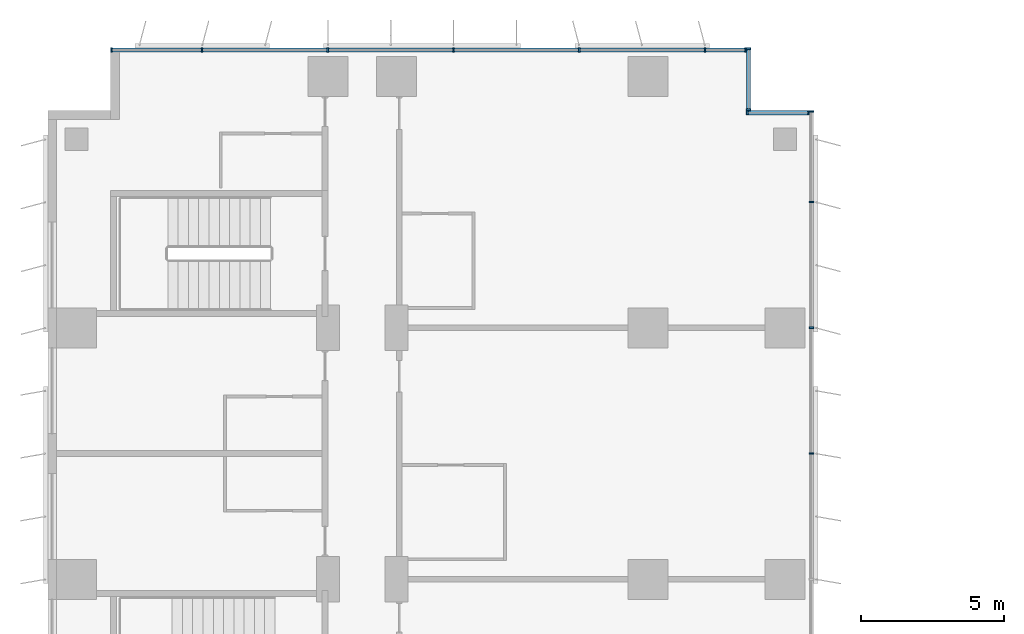
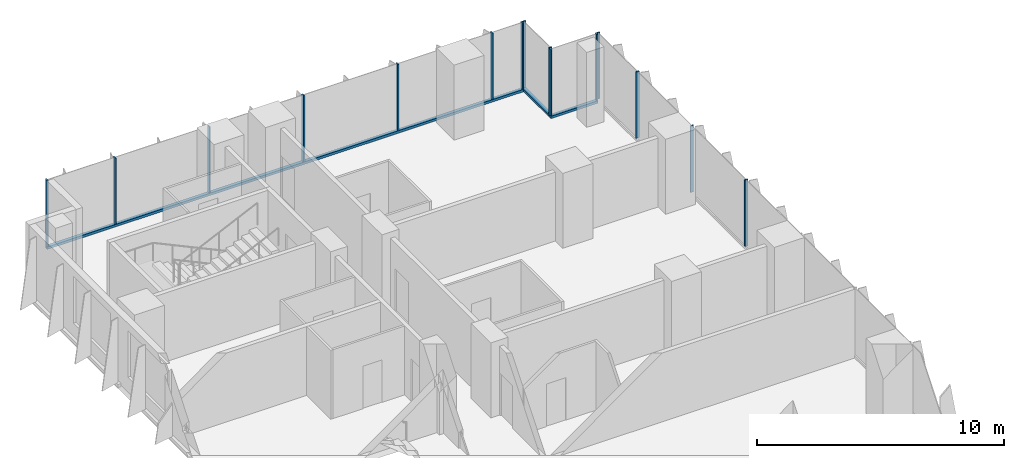
# One storey, part 9 of 24: 18 members, 4 elements without a shape of their own.
"""IFC4 building model written with IfcOpenShell, lengths in metres."""

from ifc_helpers import new_model, si_unit, direction, frame, origin, origin_2d, place, context, subcontext, project, spatial, rectangle, extrude, source, transform, mapped, material, material_profile, profile_set, type_object, element, aggregate, save


model = new_model("IFC4")

# Units and contexts
model_context = context("Model", 3, precision=1e-05, world=origin(), true_north=direction((0.0, 1.0)))
body_context = subcontext(model_context, "Body", "Model", "MODEL_VIEW")
ifc_project = project(units=[si_unit("LENGTHUNIT", "METRE"), si_unit("AREAUNIT", "SQUARE_METRE"), si_unit("VOLUMEUNIT", "CUBIC_METRE"), si_unit("PLANEANGLEUNIT", "RADIAN"), si_unit("MASSUNIT", "GRAM", prefix="KILO")], contexts=[model_context])

# Site, building, storey
site_placement = place(None, origin())
site = spatial("IfcSite", under=ifc_project, at=site_placement, CompositionType="ELEMENT")
building_placement = place(site_placement, origin())
building = spatial("IfcBuilding", under=site, at=building_placement, Name="Kemantara Hotel Tower", CompositionType="ELEMENT")
storey_placement = place(building_placement, frame((0.0, 0.0, 52.5)))
storey = spatial("IfcBuildingStorey", under=building, at=storey_placement, Name="L11", CompositionType="ELEMENT", Elevation=52.5)

# Curtain wall, member
ifc_material_1 = material(Name="Low-E tinted double insulated glass 36 mm", Category="glass")
curtain_wall_type = type_object("IfcCurtainWallType", Name="TOWER CURTAIN WALL, FRONT FACES", PredefinedType="USERDEFINED", material=ifc_material_1)
curtain_wall_1_placement = place(storey_placement, origin())
curtain_wall_1 = element("IfcCurtainWall", 1, at=curtain_wall_1_placement, inside=storey, type_object=curtain_wall_type, Name="CW4 L11 T1-R11-1", ObjectType="TOWER CURTAIN WALL, FRONT FACES", PredefinedType="USERDEFINED")
ifc_material_2 = material(Name="Aluminium 6063-T6 bronze anodised", Category="aluminium")
ifc_material_profile_1 = material_profile(ifc_material_2, rectangle(XDim=0.14990234375, YDim=0.1201171875, at=origin_2d()), Name="TOWER CURTAIN WALL, FRONT FACES TRANSOM")
ifc_profile_set_1 = profile_set([ifc_material_profile_1], Name="Aluminium 6063-T6 bronze anodised")
member_type_1 = type_object("IfcMemberType", Name="TOWER CURTAIN WALL, FRONT FACES TRANSOM", PredefinedType="USERDEFINED", material=ifc_profile_set_1)
member_1_placement = place(storey_placement, frame((24.449951171875, 81.125, 0.06005859375), z_axis=(-1.0, 0.0, 0.0), x_axis=(0.0, -1.0, 0.0)))
member_1 = element("IfcMember", 2, at=member_1_placement, type_object=member_type_1, Name="CW4 sill transom T1-R11-1", ObjectType="TRANSOM", PredefinedType="USERDEFINED", context=body_context, shape_type="SweptSolid", body=[
    extrude(rectangle(XDim=0.14990234375, YDim=0.1201171875, at=origin_2d()), origin(), (0.0, 0.0, 1.0), 22.25),
])

curtain_wall_2_placement = place(storey_placement, origin())
curtain_wall_2 = element("IfcCurtainWall", 3, at=curtain_wall_2_placement, inside=storey, type_object=curtain_wall_type, Name="CW4 L11 T1-R09-1", ObjectType="TOWER CURTAIN WALL, FRONT FACES", PredefinedType="USERDEFINED")
member_2_placement = place(storey_placement, frame((26.64990234375, 78.925048828125, 0.06005859375), z_axis=(-1.0, 0.0, 0.0), x_axis=(0.0, -1.0, 0.0)))
member_2 = element("IfcMember", 4, at=member_2_placement, type_object=member_type_1, Name="CW4 sill transom T1-R09-1", ObjectType="TRANSOM", PredefinedType="USERDEFINED", context=body_context, shape_type="SweptSolid", body=[
    extrude(rectangle(XDim=0.14990234375, YDim=0.1201171875, at=origin_2d()), origin(), (0.0, 0.0, 1.0), 2.199951171875),
])

curtain_wall_3_placement = place(storey_placement, origin())
curtain_wall_3 = element("IfcCurtainWall", 5, at=curtain_wall_3_placement, inside=storey, type_object=curtain_wall_type, Name="CW4 L11 T1-R10-1", ObjectType="TOWER CURTAIN WALL, FRONT FACES", PredefinedType="USERDEFINED")
member_3_placement = place(storey_placement, frame((24.52490234375, 79.0, 0.06005859375), z_axis=(0.0, 1.0, 0.0), x_axis=(-1.0, 0.0, 0.0)))
member_3 = element("IfcMember", 6, at=member_3_placement, type_object=member_type_1, Name="CW4 sill transom T1-R10-1", ObjectType="TRANSOM", PredefinedType="USERDEFINED", context=body_context, shape_type="SweptSolid", body=[
    extrude(rectangle(XDim=0.14990234375, YDim=0.1201171875, at=origin_2d()), origin(), (0.0, 0.0, 1.0), 2.199951171875),
])

# Curtain wall, members
curtain_wall_4_placement = place(storey_placement, origin())
curtain_wall_4 = element("IfcCurtainWall", 7, at=curtain_wall_4_placement, inside=storey, type_object=curtain_wall_type, Name="CW4 L11 T1-R08-1", ObjectType="TOWER CURTAIN WALL, FRONT FACES", PredefinedType="USERDEFINED")
ifc_material_profile_2 = material_profile(ifc_material_2, rectangle(XDim=0.14990234375, YDim=0.06005859375, at=origin_2d()), Name="TOWER CURTAIN WALL, FRONT FACES MULLION")
ifc_profile_set_2 = profile_set([ifc_material_profile_2], Name="Aluminium 6063-T6 bronze anodised")
member_type_2 = type_object("IfcMemberType", Name="TOWER CURTAIN WALL, FRONT FACES MULLION", PredefinedType="MULLION", material=ifc_profile_set_2)
shared_shape = source(origin(), body_context, "Body", "SweptSolid", [
    extrude(rectangle(XDim=0.14990234375, YDim=0.06005859375, at=origin_2d()), origin(), (0.0, 0.0, 1.0), 3.27978515625),
])
member_4_placement = place(storey_placement, frame((26.72509765625, 67.0, 0.1201171875), z_axis=(0.0, 0.0, 1.0), x_axis=(-1.0, 0.0, 0.0)))
member_4 = element("IfcMember", 8, at=member_4_placement, type_object=member_type_2, Name="CW4 mullion T1-R08-1.11", PredefinedType="MULLION", context=body_context, shape_type="MappedRepresentation", body=[
    mapped(shared_shape, transform((0.0, 0.0, 0.0))),
])
member_5_placement = place(storey_placement, frame((26.72509765625, 71.39990234375, 0.1201171875), z_axis=(0.0, 0.0, 1.0), x_axis=(-1.0, 0.0, 0.0)))
member_5 = element("IfcMember", 9, at=member_5_placement, type_object=member_type_2, Name="CW4 mullion T1-R08-1.12", PredefinedType="MULLION", context=body_context, shape_type="MappedRepresentation", body=[
    mapped(shared_shape, transform((0.0, 0.0, 0.0))),
])
member_6_placement = place(storey_placement, frame((26.72509765625, 75.800048828125, 0.1201171875), z_axis=(0.0, 0.0, 1.0), x_axis=(-1.0, 0.0, 0.0)))
member_6 = element("IfcMember", 10, at=member_6_placement, type_object=member_type_2, Name="CW4 mullion T1-R08-1.13", PredefinedType="MULLION", context=body_context, shape_type="MappedRepresentation", body=[
    mapped(shared_shape, transform((0.0, 0.0, 0.0))),
])
member_7_placement = place(storey_placement, frame((26.72509765625, 78.969970703125, 0.1201171875), z_axis=(0.0, 0.0, 1.0), x_axis=(-1.0, 0.0, 0.0)))
member_7 = element("IfcMember", 11, at=member_7_placement, type_object=member_type_2, Name="CW4 mullion T1-R08-1.14", PredefinedType="MULLION", context=body_context, shape_type="MappedRepresentation", body=[
    mapped(shared_shape, transform((0.0, 0.0, 0.0))),
])
aggregate(curtain_wall_4, [member_4, member_5, member_6, member_7])

# Member
member_8_placement = place(storey_placement, frame((24.419921875, 81.125, 0.1201171875), z_axis=(0.0, 0.0, 1.0), x_axis=(0.0, -1.0, 0.0)))
member_8 = element("IfcMember", 12, at=member_8_placement, type_object=member_type_2, Name="CW4 mullion T1-R11-1.1", PredefinedType="MULLION", context=body_context, shape_type="MappedRepresentation", body=[
    mapped(shared_shape, transform((0.0, 0.0, 0.0))),
])

member_9_placement = place(storey_placement, frame((23.0, 81.125, 0.1201171875), z_axis=(0.0, 0.0, 1.0), x_axis=(0.0, -1.0, 0.0)))
member_9 = element("IfcMember", 13, at=member_9_placement, type_object=member_type_2, Name="CW4 mullion T1-R11-1.2", PredefinedType="MULLION", context=body_context, shape_type="MappedRepresentation", body=[
    mapped(shared_shape, transform((0.0, 0.0, 0.0))),
])

member_10_placement = place(storey_placement, frame((18.60009765625, 81.125, 0.1201171875), z_axis=(0.0, 0.0, 1.0), x_axis=(0.0, -1.0, 0.0)))
member_10 = element("IfcMember", 14, at=member_10_placement, type_object=member_type_2, Name="CW4 mullion T1-R11-1.3", PredefinedType="MULLION", context=body_context, shape_type="MappedRepresentation", body=[
    mapped(shared_shape, transform((0.0, 0.0, 0.0))),
])

member_11_placement = place(storey_placement, frame((14.199951171875, 81.125, 0.1201171875), z_axis=(0.0, 0.0, 1.0), x_axis=(0.0, -1.0, 0.0)))
member_11 = element("IfcMember", 15, at=member_11_placement, type_object=member_type_2, Name="CW4 mullion T1-R11-1.4", PredefinedType="MULLION", context=body_context, shape_type="MappedRepresentation", body=[
    mapped(shared_shape, transform((0.0, 0.0, 0.0))),
])

member_12_placement = place(storey_placement, frame((9.800048828125, 81.125, 0.1201171875), z_axis=(0.0, 0.0, 1.0), x_axis=(0.0, -1.0, 0.0)))
member_12 = element("IfcMember", 16, at=member_12_placement, type_object=member_type_2, Name="CW4 mullion T1-R11-1.5", PredefinedType="MULLION", context=body_context, shape_type="MappedRepresentation", body=[
    mapped(shared_shape, transform((0.0, 0.0, 0.0))),
])

member_13_placement = place(storey_placement, frame((5.39990234375, 81.125, 0.1201171875), z_axis=(0.0, 0.0, 1.0), x_axis=(0.0, -1.0, 0.0)))
member_13 = element("IfcMember", 17, at=member_13_placement, type_object=member_type_2, Name="CW4 mullion T1-R11-1.6", PredefinedType="MULLION", context=body_context, shape_type="MappedRepresentation", body=[
    mapped(shared_shape, transform((0.0, 0.0, 0.0))),
])

member_14_placement = place(storey_placement, frame((2.22998046875, 81.125, 0.1201171875), z_axis=(0.0, 0.0, 1.0), x_axis=(0.0, -1.0, 0.0)))
member_14 = element("IfcMember", 18, at=member_14_placement, type_object=member_type_2, Name="CW4 mullion T1-R11-1.7", PredefinedType="MULLION", context=body_context, shape_type="MappedRepresentation", body=[
    mapped(shared_shape, transform((0.0, 0.0, 0.0))),
])

aggregate(curtain_wall_1, [member_1, member_8, member_9, member_10, member_11, member_12, member_13, member_14])

member_15_placement = place(storey_placement, frame((26.6201171875, 78.925048828125, 0.1201171875), z_axis=(0.0, 0.0, 1.0), x_axis=(0.0, -1.0, 0.0)))
member_15 = element("IfcMember", 19, at=member_15_placement, type_object=member_type_2, Name="CW4 mullion T1-R09-1.1", PredefinedType="MULLION", context=body_context, shape_type="MappedRepresentation", body=[
    mapped(shared_shape, transform((0.0, 0.0, 0.0))),
])

member_16_placement = place(storey_placement, frame((24.47998046875, 78.925048828125, 0.1201171875), z_axis=(0.0, 0.0, 1.0), x_axis=(0.0, -1.0, 0.0)))
member_16 = element("IfcMember", 20, at=member_16_placement, type_object=member_type_2, Name="CW4 mullion T1-R09-1.2", PredefinedType="MULLION", context=body_context, shape_type="MappedRepresentation", body=[
    mapped(shared_shape, transform((0.0, 0.0, 0.0))),
])

aggregate(curtain_wall_2, [member_2, member_15, member_16])

member_17_placement = place(storey_placement, frame((24.52490234375, 79.030029296875, 0.1201171875), z_axis=(0.0, 0.0, 1.0), x_axis=(-1.0, 0.0, 0.0)))
member_17 = element("IfcMember", 21, at=member_17_placement, type_object=member_type_2, Name="CW4 mullion T1-R10-1.1", PredefinedType="MULLION", context=body_context, shape_type="MappedRepresentation", body=[
    mapped(shared_shape, transform((0.0, 0.0, 0.0))),
])

member_18_placement = place(storey_placement, frame((24.52490234375, 81.169921875, 0.1201171875), z_axis=(0.0, 0.0, 1.0), x_axis=(-1.0, 0.0, 0.0)))
member_18 = element("IfcMember", 22, at=member_18_placement, type_object=member_type_2, Name="CW4 mullion T1-R10-1.2", PredefinedType="MULLION", context=body_context, shape_type="MappedRepresentation", body=[
    mapped(shared_shape, transform((0.0, 0.0, 0.0))),
])

aggregate(curtain_wall_3, [member_3, member_17, member_18])

save(model, "model.ifc")
